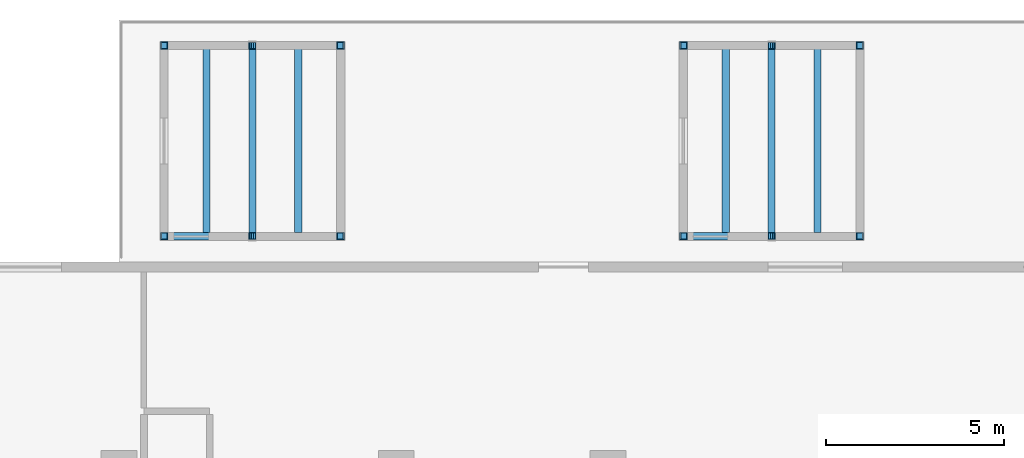
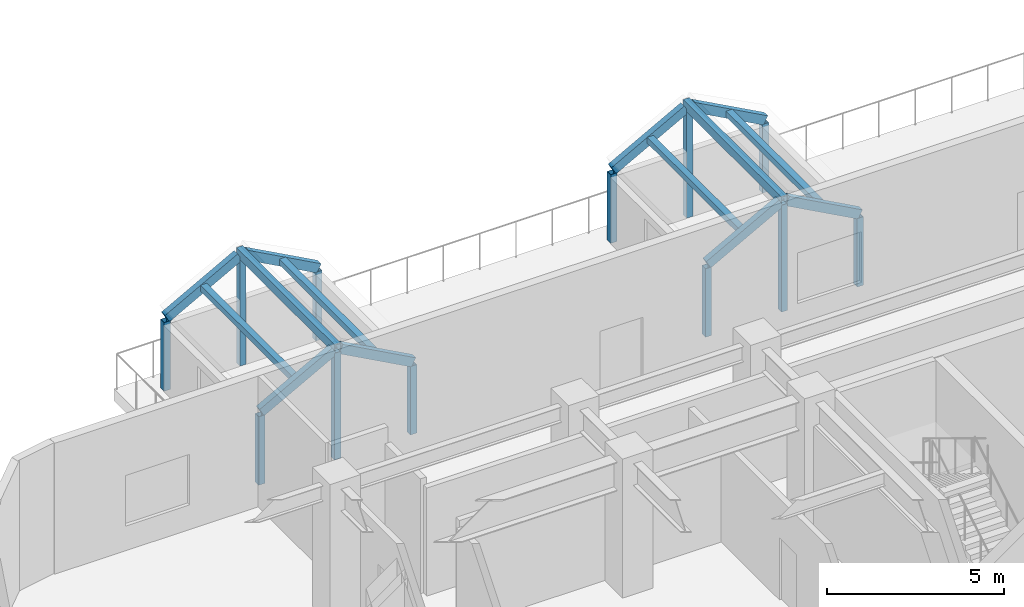
# One storey, part 5 of 18: 26 members.
"""IFC4 building model written with IfcOpenShell, lengths in metres."""

from ifc_helpers import new_model, si_unit, direction, frame, origin, origin_2d, place, context, subcontext, project, spatial, hollow_rectangle, extrude, material, material_profile, profile_set, type_object, element, save


model = new_model("IFC4")

# Units and contexts
model_context = context("Model", 3, precision=1e-05, world=origin(), true_north=direction((0.0, 1.0)))
body_context = subcontext(model_context, "Body", "Model", "MODEL_VIEW")
ifc_project = project(units=[si_unit("LENGTHUNIT", "METRE"), si_unit("AREAUNIT", "SQUARE_METRE"), si_unit("VOLUMEUNIT", "CUBIC_METRE"), si_unit("PLANEANGLEUNIT", "RADIAN"), si_unit("MASSUNIT", "GRAM", prefix="KILO")], contexts=[model_context])

# Site, building, storey
site_placement = place(None, origin())
site = spatial("IfcSite", under=ifc_project, at=site_placement, CompositionType="ELEMENT")
building_placement = place(site_placement, origin())
building = spatial("IfcBuilding", under=site, at=building_placement, Name="Ochreholt Gables", CompositionType="ELEMENT")
storey_placement = place(building_placement, frame((0.0, 0.0, 4.800048828125)))
storey = spatial("IfcBuildingStorey", under=building, at=storey_placement, Name="L01", CompositionType="ELEMENT", Elevation=4.800048828125)

# Members
ifc_material = material(Name="Steel CSA G40.21 350W", Category="steel")
ifc_material_profile_1 = material_profile(ifc_material, hollow_rectangle(XDim=0.202880859375, YDim=0.202880859375, WallThickness=0.009521484375, at=origin_2d()), Name="HSS203X203X10")
ifc_profile_set_1 = profile_set([ifc_material_profile_1], Name="Steel CSA G40.21 350W")
member_type_1 = type_object("IfcMemberType", Name="MEM-GB-PR1", PredefinedType="PURLIN", material=ifc_profile_set_1)
for number, where, z_axis, x_axis, name in (
    (1, (12.909423828125, 48.39697265625, 3.14599609375), (0.0, 1.0, 0.0), (-1.0, 0.0, 0.0), "L01 Gable West Purlin GB-01N1"),
    (2, (15.490478515625, 48.39697265625, 3.14599609375), (0.0, 1.0, 0.0), (-1.0, 0.0, 0.0), "L01 Gable East Purlin GB-01N1"),
    (3, (27.509521484375, 48.39697265625, 3.14599609375), (0.0, 1.0, 0.0), (-1.0, 0.0, 0.0), "L01 Gable West Purlin GB-01N2"),
    (4, (30.090576171875, 48.39697265625, 3.14599609375), (0.0, 1.0, 0.0), (-1.0, 0.0, 0.0), "L01 Gable East Purlin GB-01N2"),
):
    element("IfcMember", number, at=place(storey_placement, frame(where, z_axis=z_axis, x_axis=x_axis)), inside=storey, type_object=member_type_1, Name=name, PredefinedType="PURLIN", context=body_context, shape_type="SweptSolid", body=[
        extrude(hollow_rectangle(XDim=0.202880859375, YDim=0.202880859375, WallThickness=0.009521484375, at=origin_2d()), origin(), (0.0, 0.0, 1.0), 5.2060546875),
    ])
ifc_material_profile_2 = material_profile(ifc_material, hollow_rectangle(XDim=0.202880859375, YDim=0.202880859375, WallThickness=0.009521484375, at=origin_2d()), Name="HSS203X203X10")
ifc_profile_set_2 = profile_set([ifc_material_profile_2], Name="Steel CSA G40.21 350W")
member_type_2 = type_object("IfcMemberType", Name="MEM-GB-PT2", PredefinedType="POST", material=ifc_profile_set_2)
for number, where, z_axis, x_axis, name in (
    (5, (11.719970703125, 48.320068359375, 0.0), (0.0, 0.0, 1.0), (1.0, 0.0, 0.0), "L01 Gable Pavilion Post GB-01N1-P1"),
    (6, (16.679931640625, 48.320068359375, 0.0), (0.0, 0.0, 1.0), (1.0, 0.0, 0.0), "L01 Gable Pavilion Post GB-01N1-P2"),
    (7, (16.679931640625, 53.679931640625, 0.0), (0.0, 0.0, 1.0), (1.0, 0.0, 0.0), "L01 Gable Pavilion Post GB-01N1-P3"),
    (8, (11.719970703125, 53.679931640625, 0.0), (0.0, 0.0, 1.0), (1.0, 0.0, 0.0), "L01 Gable Pavilion Post GB-01N1-P4"),
):
    element("IfcMember", number, at=place(storey_placement, frame(where, z_axis=z_axis, x_axis=x_axis)), inside=storey, type_object=member_type_2, Name=name, PredefinedType="POST", context=body_context, shape_type="SweptSolid", body=[
        extrude(hollow_rectangle(XDim=0.202880859375, YDim=0.202880859375, WallThickness=0.009521484375, at=origin_2d()), origin(), (0.0, 0.0, 1.0), 2.36865234375),
    ])
for number, where, z_axis, x_axis, name in (
    (9, (14.199951171875, 48.320068359375, 0.0), (0.0, 0.0, 1.0), (1.0, 0.0, 0.0), "L01 Gable Ridge Post GB-01N1-PRG1"),
    (10, (14.199951171875, 53.679931640625, 0.0), (0.0, 0.0, 1.0), (1.0, 0.0, 0.0), "L01 Gable Ridge Post GB-01N1-PRG2"),
):
    element("IfcMember", number, at=place(storey_placement, frame(where, z_axis=z_axis, x_axis=x_axis)), inside=storey, type_object=member_type_2, Name=name, PredefinedType="POST", context=body_context, shape_type="SweptSolid", body=[
        extrude(hollow_rectangle(XDim=0.202880859375, YDim=0.202880859375, WallThickness=0.009521484375, at=origin_2d()), origin(), (0.0, 0.0, 1.0), 3.69140625),
    ])
for number, where, z_axis, x_axis, name in (
    (11, (26.320068359375, 48.320068359375, 0.0), (0.0, 0.0, 1.0), (1.0, 0.0, 0.0), "L01 Gable Pavilion Post GB-01N2-P1"),
    (12, (31.280029296875, 48.320068359375, 0.0), (0.0, 0.0, 1.0), (1.0, 0.0, 0.0), "L01 Gable Pavilion Post GB-01N2-P2"),
    (13, (31.280029296875, 53.679931640625, 0.0), (0.0, 0.0, 1.0), (1.0, 0.0, 0.0), "L01 Gable Pavilion Post GB-01N2-P3"),
    (14, (26.320068359375, 53.679931640625, 0.0), (0.0, 0.0, 1.0), (1.0, 0.0, 0.0), "L01 Gable Pavilion Post GB-01N2-P4"),
):
    element("IfcMember", number, at=place(storey_placement, frame(where, z_axis=z_axis, x_axis=x_axis)), inside=storey, type_object=member_type_2, Name=name, PredefinedType="POST", context=body_context, shape_type="SweptSolid", body=[
        extrude(hollow_rectangle(XDim=0.202880859375, YDim=0.202880859375, WallThickness=0.009521484375, at=origin_2d()), origin(), (0.0, 0.0, 1.0), 2.36865234375),
    ])
for number, where, z_axis, x_axis, name in (
    (15, (28.800048828125, 48.320068359375, 0.0), (0.0, 0.0, 1.0), (1.0, 0.0, 0.0), "L01 Gable Ridge Post GB-01N2-PRG1"),
    (16, (28.800048828125, 53.679931640625, 0.0), (0.0, 0.0, 1.0), (1.0, 0.0, 0.0), "L01 Gable Ridge Post GB-01N2-PRG2"),
):
    element("IfcMember", number, at=place(storey_placement, frame(where, z_axis=z_axis, x_axis=x_axis)), inside=storey, type_object=member_type_2, Name=name, PredefinedType="POST", context=body_context, shape_type="SweptSolid", body=[
        extrude(hollow_rectangle(XDim=0.202880859375, YDim=0.202880859375, WallThickness=0.009521484375, at=origin_2d()), origin(), (0.0, 0.0, 1.0), 3.69140625),
    ])
ifc_material_profile_3 = material_profile(ifc_material, hollow_rectangle(XDim=0.202880859375, YDim=0.304931640625, WallThickness=0.0126953125, at=origin_2d()), Name="HSS305X203X13")
ifc_profile_set_3 = profile_set([ifc_material_profile_3], Name="Steel CSA G40.21 350W")
member_type_3 = type_object("IfcMemberType", Name="MEM-GB-RF1", PredefinedType="RAFTER", material=ifc_profile_set_3)
for number, where, z_axis, x_axis, name in (
    (17, (11.719970703125, 48.320068359375, 2.475830078125), (0.878308619381, 0.0, 0.478094100697), (0.0, 1.0, 0.0), "L01 Gable West Rafter 1 GB-01N1"),
    (18, (16.679931640625, 48.320068359375, 2.475830078125), (-0.878308619381, 0.0, 0.478094100697), (0.0, -1.0, 0.0), "L01 Gable East Rafter 1 GB-01N1"),
    (19, (11.719970703125, 53.679931640625, 2.475830078125), (0.878308619381, 0.0, 0.478094100697), (0.0, 1.0, 0.0), "L01 Gable West Rafter 2 GB-01N1"),
    (20, (16.679931640625, 53.679931640625, 2.475830078125), (-0.878308619381, 0.0, 0.478094100697), (0.0, -1.0, 0.0), "L01 Gable East Rafter 2 GB-01N1"),
    (21, (26.320068359375, 48.320068359375, 2.475830078125), (0.878308619381, 0.0, 0.478094100697), (0.0, 1.0, 0.0), "L01 Gable West Rafter 1 GB-01N2"),
    (22, (31.280029296875, 48.320068359375, 2.475830078125), (-0.878308619381, 0.0, 0.478094100697), (0.0, -1.0, 0.0), "L01 Gable East Rafter 1 GB-01N2"),
    (23, (26.320068359375, 53.679931640625, 2.475830078125), (0.878308619381, 0.0, 0.478094100697), (0.0, 1.0, 0.0), "L01 Gable West Rafter 2 GB-01N2"),
    (24, (31.280029296875, 53.679931640625, 2.475830078125), (-0.878308619381, 0.0, 0.478094100697), (0.0, -1.0, 0.0), "L01 Gable East Rafter 2 GB-01N2"),
):
    element("IfcMember", number, at=place(storey_placement, frame(where, z_axis=z_axis, x_axis=x_axis)), inside=storey, type_object=member_type_3, Name=name, PredefinedType="RAFTER", context=body_context, shape_type="SweptSolid", body=[
        extrude(hollow_rectangle(XDim=0.202880859375, YDim=0.304931640625, WallThickness=0.0126953125, at=origin_2d()), origin(), (0.0, 0.0, 1.0), 2.70849609375),
    ])
ifc_material_profile_4 = material_profile(ifc_material, hollow_rectangle(XDim=0.202880859375, YDim=0.304931640625, WallThickness=0.0126953125, at=origin_2d()), Name="HSS305X203X13")
ifc_profile_set_4 = profile_set([ifc_material_profile_4], Name="Steel CSA G40.21 350W")
member_type_4 = type_object("IfcMemberType", Name="MEM-GB-RF1E", PredefinedType="RAFTER", material=ifc_profile_set_4)
for number, where, z_axis, x_axis, name in (
    (25, (14.199951171875, 48.219970703125, 3.825927734375), (0.0, 1.0, 0.0), (-1.0, 0.0, 0.0), "L01 Gable Ridge Member GB-01N1"),
    (26, (28.800048828125, 48.219970703125, 3.825927734375), (0.0, 1.0, 0.0), (-1.0, 0.0, 0.0), "L01 Gable Ridge Member GB-01N2"),
):
    element("IfcMember", number, at=place(storey_placement, frame(where, z_axis=z_axis, x_axis=x_axis)), inside=storey, type_object=member_type_4, Name=name, PredefinedType="RAFTER", context=body_context, shape_type="SweptSolid", body=[
        extrude(hollow_rectangle(XDim=0.202880859375, YDim=0.304931640625, WallThickness=0.0126953125, at=origin_2d()), origin(), (0.0, 0.0, 1.0), 5.56005859375),
    ])

save(model, "model.ifc")
